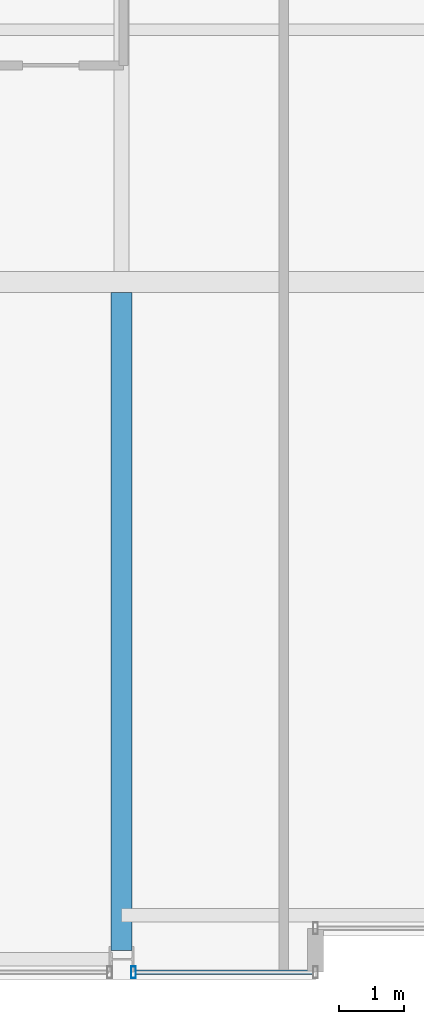
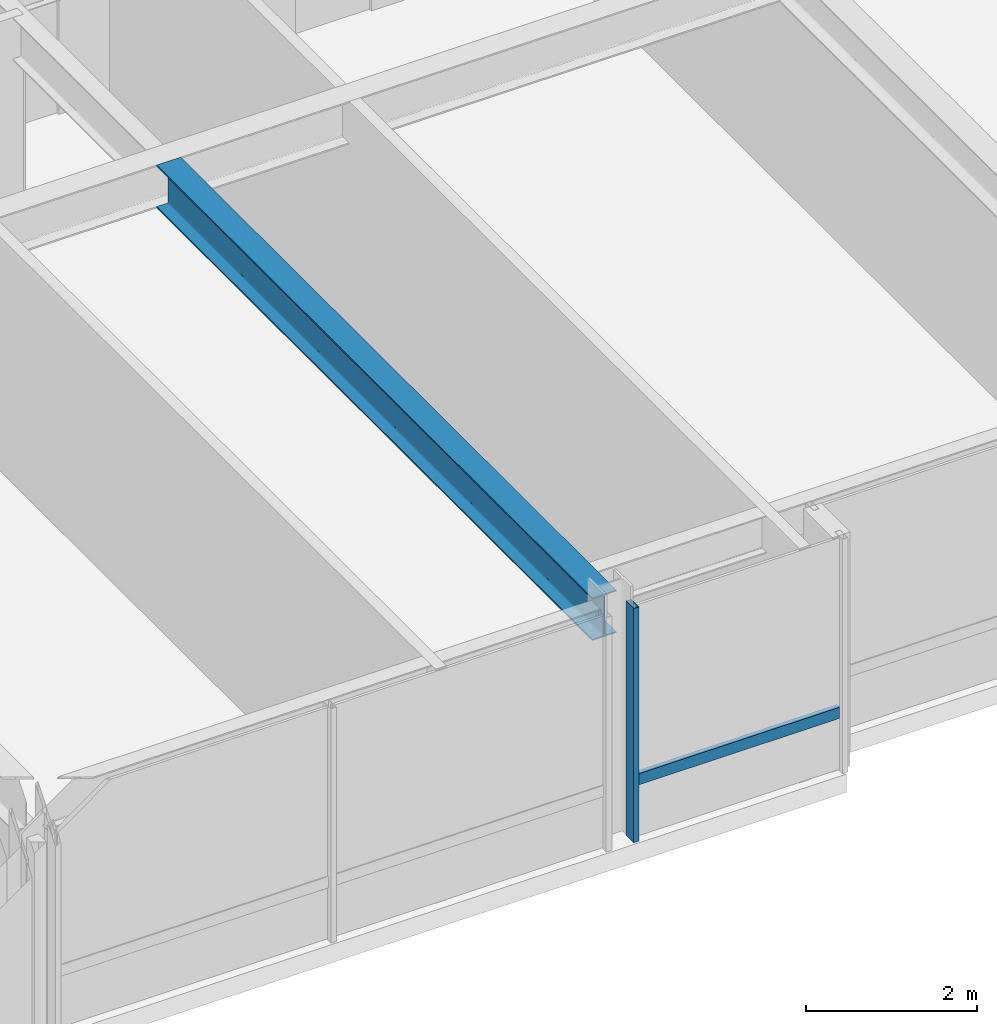
# One storey, part 3 of 33: 2 members, 1 beam, 1 element without a shape of its own.
"""IFC4 building model written with IfcOpenShell, lengths in metres."""

from ifc_helpers import new_model, si_unit, direction, frame, origin, origin_2d, place, context, subcontext, project, spatial, hollow_rectangle, i_section, extrude, material, layer, layer_set, material_profile, profile_set, type_object, element, aggregate, save


model = new_model("IFC4")

# Units and contexts
model_context = context("Model", 3, precision=1e-05, world=origin(), true_north=direction((0.0, 1.0)))
body_context = subcontext(model_context, "Body", "Model", "MODEL_VIEW")
ifc_project = project(units=[si_unit("LENGTHUNIT", "METRE"), si_unit("AREAUNIT", "SQUARE_METRE"), si_unit("VOLUMEUNIT", "CUBIC_METRE"), si_unit("PLANEANGLEUNIT", "RADIAN"), si_unit("MASSUNIT", "GRAM", prefix="KILO")], contexts=[model_context])

# Site, building, storey
site_placement = place(None, origin())
site = spatial("IfcSite", under=ifc_project, at=site_placement, CompositionType="ELEMENT")
building_placement = place(site_placement, origin())
building = spatial("IfcBuilding", under=site, at=building_placement, Name="Drelvath Grand Hotel", CompositionType="ELEMENT")
storey_placement = place(building_placement, frame((0.0, 0.0, 212.300048828125)))
storey = spatial("IfcBuildingStorey", under=building, at=storey_placement, Name="L55", CompositionType="ELEMENT", Elevation=212.300048828125)

# Curtain wall, members
ifc_material_1 = material(Name="Platinum-Mist Anodised Aluminium Frame", Category="aluminium")
ifc_layer = layer(ifc_material_1, 0.199951171875)
ifc_layer_set = layer_set([ifc_layer], Name="Platinum-Mist Anodised Aluminium Frame")
curtain_wall_type = type_object("IfcCurtainWallType", Name="Stick Curtain Wall CW-05 Platinum Mist High-Rise", PredefinedType="NOTDEFINED", material=ifc_layer_set)
curtain_wall_placement = place(storey_placement, origin())
curtain_wall = element("IfcCurtainWall", 1, at=curtain_wall_placement, inside=storey, type_object=curtain_wall_type, Name="L55 CW-05 Curtain Wall CW05-L55-SW3", PredefinedType="NOTDEFINED")
ifc_material_profile_1 = material_profile(ifc_material_1, hollow_rectangle(XDim=0.06494140625, YDim=0.159912109375, WallThickness=0.00390625, at=origin_2d()), Name="HSS160X65X4")
ifc_profile_set_1 = profile_set([ifc_material_profile_1], Name="Platinum-Mist Anodised Aluminium Frame")
member_type_1 = type_object("IfcMemberType", Name="Curtain Wall Horizontal Transom CW-05 HSS160X65X4", PredefinedType="USERDEFINED", material=ifc_profile_set_1)
member_1_placement = place(storey_placement, frame((-5.43994140625, 0.1201171875, 0.8349609375), z_axis=(-1.0, 0.0, 0.0), x_axis=(0.0, -1.0, 0.0)))
member_1 = element("IfcMember", 2, at=member_1_placement, type_object=member_type_1, Name="CW05-L55-SW3 Sill Transom", ObjectType="TRANSOM", PredefinedType="USERDEFINED", context=body_context, shape_type="SweptSolid", body=[
    extrude(hollow_rectangle(XDim=0.06494140625, YDim=0.159912109375, WallThickness=0.00390625, at=origin_2d()), origin(), (0.0, 0.0, 1.0), 2.73486328125),
])
ifc_material_profile_2 = material_profile(ifc_material_1, hollow_rectangle(XDim=0.074951171875, YDim=0.179931640625, WallThickness=0.0048828125, at=origin_2d()), Name="HSS180X75X5")
ifc_profile_set_2 = profile_set([ifc_material_profile_2], Name="Platinum-Mist Anodised Aluminium Frame")
member_type_2 = type_object("IfcMemberType", Name="Curtain Wall Vertical Mullion CW-05 HSS180X75X5", PredefinedType="MULLION", material=ifc_profile_set_2)
member_2_placement = place(storey_placement, frame((-8.214599609375, 0.1201171875, 0.0), z_axis=(0.0, 0.0, 1.0), x_axis=(1.0, 0.0, 0.0)))
member_2 = element("IfcMember", 3, at=member_2_placement, type_object=member_type_2, Name="CW05-L55-SW3 Mullion 2", PredefinedType="MULLION", context=body_context, shape_type="SweptSolid", body=[
    extrude(hollow_rectangle(XDim=0.074951171875, YDim=0.179931640625, WallThickness=0.0048828125, at=origin_2d()), origin(), (0.0, 0.0, 1.0), 3.33984375),
])
aggregate(curtain_wall, [member_2, member_1])

# Beam
ifc_material_2 = material(Name="Steel ASTM A992 Gr 50", Category="steel")
ifc_material_profile_3 = material_profile(ifc_material_2, i_section(OverallWidth=0.323974609375, OverallDepth=0.611083984375, WebThickness=0.0126953125, FlangeThickness=0.01904296875, FilletRadius=0.02197265625, at=origin_2d()), Name="W24X104")
ifc_profile_set_3 = profile_set([ifc_material_profile_3], Name="Steel ASTM A992 Gr 50")
beam_type = type_object("IfcBeamType", Name="Primary Floor Girder W24X104", PredefinedType="BEAM", material=ifc_profile_set_3)
beam_placement = place(storey_placement, frame((-8.39990234375, 0.4599609375, 3.034423828125), z_axis=(0.0, 1.0, 0.0), x_axis=(-1.0, 0.0, 0.0)))
element("IfcBeam", 4, at=beam_placement, inside=storey, type_object=beam_type, Name="L55 South Wing Girder 4", PredefinedType="BEAM", context=body_context, shape_type="SweptSolid", body=[
    extrude(i_section(OverallWidth=0.323974609375, OverallDepth=0.611083984375, WebThickness=0.0126953125, FlangeThickness=0.01904296875, FilletRadius=0.02197265625, at=origin_2d()), origin(), (0.0, 0.0, 1.0), 10.177978515625),
])

save(model, "model.ifc")
